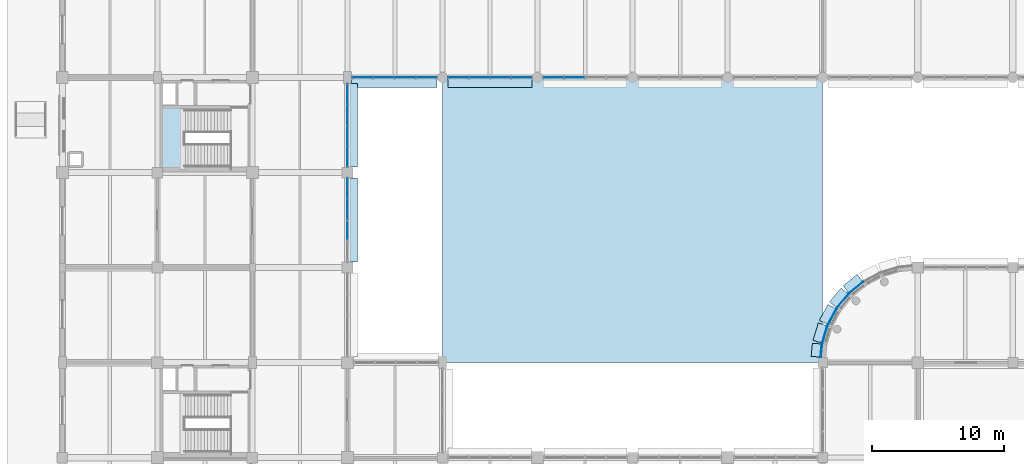
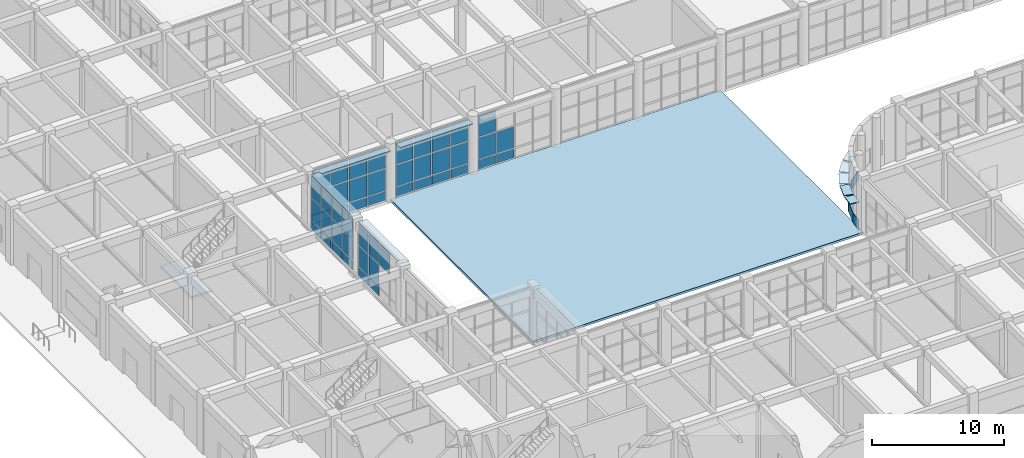
# One storey, part 114 of 160: 62 plates, 2 slabs, 6 elements without a shape of their own.
"""IFC4 building model written with IfcOpenShell, lengths in metres."""

from ifc_helpers import new_model, si_unit, direction, frame, origin, origin_2d, place, context, subcontext, project, spatial, polyline, rectangle, outline, extrude, material, layer, layer_set, type_object, element, aggregate, save


model = new_model("IFC4")

# Units and contexts
model_context = context("Model", 3, precision=1e-05, world=origin(), true_north=direction((0.0, 1.0)))
body_context = subcontext(model_context, "Body", "Model", "MODEL_VIEW")
ifc_project = project(units=[si_unit("LENGTHUNIT", "METRE"), si_unit("AREAUNIT", "SQUARE_METRE"), si_unit("VOLUMEUNIT", "CUBIC_METRE"), si_unit("PLANEANGLEUNIT", "RADIAN"), si_unit("MASSUNIT", "GRAM", prefix="KILO")], contexts=[model_context])

# Site, building, storey
site_placement = place(None, origin())
site = spatial("IfcSite", under=ifc_project, at=site_placement, CompositionType="ELEMENT")
building_placement = place(site_placement, origin())
building = spatial("IfcBuilding", under=site, at=building_placement, Name="Thalmaran Polytechnic", CompositionType="ELEMENT")
storey_placement = place(building_placement, origin())
storey = spatial("IfcBuildingStorey", under=building, at=storey_placement, Name="L00", CompositionType="ELEMENT", Elevation=0.0)

# Plates
ifc_material_1 = material(Name="Anodised aluminium spandrel band", Category="aluminium")
ifc_layer_1 = layer(ifc_material_1, 0.054931640625, Name="Anodised aluminium spandrel band")
ifc_layer_set_1 = layer_set([ifc_layer_1], Name="Anodised aluminium spandrel band")
plate_type_1 = type_object("IfcPlateType", Name="PT-BD01", PredefinedType="SHEET", material=ifc_layer_set_1)
plate_1_placement = place(storey_placement, frame((57.493408203125, 29.7080078125, 0.02001953125), z_axis=(0.0, 0.0, 1.0), x_axis=(0.09801714033, 0.995184726672, 0.0)))
element("IfcPlate", 1, at=plate_1_placement, inside=storey, type_object=plate_type_1, Name="Streamline Horizontal Spandrel Band L00-156", PredefinedType="SHEET", context=body_context, shape_type="SweptSolid", body=[
    extrude(rectangle(XDim=0.996337890625, YDim=0.054931640625, at=origin_2d()), origin(), (0.0, 0.0, 1.0), 0.8798828125),
])
for number, where, z_axis, x_axis, name in (
    (2, (57.756591796875, 30.9365234375, 0.02001953125), (0.0, 0.0, 1.0), (0.290284677254, 0.956940335732, 0.0), "Streamline Horizontal Spandrel Band L00-157"),
    (3, (58.308837890625, 32.26953125, 0.02001953125), (0.0, 0.0, 1.0), (0.471396736826, 0.881921264348, 0.0), "Streamline Horizontal Spandrel Band L00-158"),
    (4, (59.1103515625, 33.46923828125, 0.02001953125), (0.0, 0.0, 1.0), (0.634393284164, 0.773010453363, 0.0), "Streamline Horizontal Spandrel Band L00-159"),
    (5, (60.130615234375, 34.489501953125, 0.02001953125), (0.0, 0.0, 1.0), (0.773010453363, 0.634393284164, 0.0), "Streamline Horizontal Spandrel Band L00-160"),
):
    element("IfcPlate", number, at=place(storey_placement, frame(where, z_axis=z_axis, x_axis=x_axis)), inside=storey, type_object=plate_type_1, Name=name, PredefinedType="SHEET", context=body_context, shape_type="SweptSolid", body=[
        extrude(rectangle(XDim=1.371337890625, YDim=0.054931640625, at=origin_2d()), origin(), (0.0, 0.0, 1.0), 0.8798828125),
    ])
ifc_material_2 = material(Name="Anodised aluminium sun-hood eyebrow", Category="aluminium")
ifc_layer_2 = layer(ifc_material_2, 0.0849609375, Name="Anodised aluminium sun-hood eyebrow")
ifc_layer_set_2 = layer_set([ifc_layer_2], Name="Anodised aluminium sun-hood eyebrow")
plate_type_2 = type_object("IfcPlateType", Name="PT-EB01", PredefinedType="SHEET", material=ifc_layer_set_2)
plate_2_placement = place(storey_placement, frame((32.39990234375, 50.0400390625, 4.987548828125), z_axis=(0.0, 0.0, 1.0), x_axis=(-1.0, 0.0, 0.0)))
element("IfcPlate", 6, at=plate_2_placement, inside=storey, type_object=plate_type_2, Name="Streamline Sun-Hood Eyebrow L00-CW043", PredefinedType="SHEET", context=body_context, shape_type="SweptSolid", body=[
    extrude(rectangle(XDim=6.360107421875, YDim=0.760009765625, at=origin_2d()), origin(), (0.0, 0.0, 1.0), 0.0849609375),
])
plate_3_placement = place(storey_placement, frame((25.14990234375, 50.0400390625, 4.987548828125), z_axis=(0.0, 0.0, 1.0), x_axis=(-1.0, 0.0, 0.0)))
element("IfcPlate", 7, at=plate_3_placement, inside=storey, type_object=plate_type_2, Name="Streamline Sun-Hood Eyebrow L00-CW044", PredefinedType="SHEET", context=body_context, shape_type="SweptSolid", body=[
    extrude(rectangle(XDim=6.4599609375, YDim=0.760009765625, at=origin_2d()), origin(), (0.0, 0.0, 1.0), 0.0849609375),
])
plate_4_placement = place(storey_placement, frame((21.9599609375, 46.77490234375, 4.987548828125), z_axis=(0.0, 0.0, 1.0), x_axis=(0.0, -1.0, 0.0)))
element("IfcPlate", 8, at=plate_4_placement, inside=storey, type_object=plate_type_2, Name="Streamline Sun-Hood Eyebrow L00-CW045", PredefinedType="SHEET", context=body_context, shape_type="SweptSolid", body=[
    extrude(rectangle(XDim=6.31005859375, YDim=0.760009765625, at=origin_2d()), origin(), (0.0, 0.0, 1.0), 0.0849609375),
])
plate_5_placement = place(storey_placement, frame((21.9599609375, 39.60498046875, 4.987548828125), z_axis=(0.0, 0.0, 1.0), x_axis=(0.0, -1.0, 0.0)))
element("IfcPlate", 9, at=plate_5_placement, inside=storey, type_object=plate_type_2, Name="Streamline Sun-Hood Eyebrow L00-CW046", PredefinedType="SHEET", context=body_context, shape_type="SweptSolid", body=[
    extrude(rectangle(XDim=6.35009765625, YDim=0.760009765625, at=origin_2d()), origin(), (0.0, 0.0, 1.0), 0.0849609375),
])
plate_6_placement = place(storey_placement, frame((57.150146484375, 29.741943359375, 2.517578125), z_axis=(0.0, 0.0, 1.0), x_axis=(0.09801714033, 0.995184726672, 0.0)))
element("IfcPlate", 10, at=plate_6_placement, inside=storey, type_object=plate_type_2, Name="Streamline Sun-Hood Eyebrow L00-156", PredefinedType="SHEET", context=body_context, shape_type="SweptSolid", body=[
    extrude(rectangle(XDim=0.996337890625, YDim=0.760009765625, at=origin_2d()), origin(), (0.0, 0.0, 1.0), 0.0849609375),
])
for number, where, z_axis, x_axis, name in (
    (11, (57.426513671875, 31.03662109375, 2.517578125), (0.0, 0.0, 1.0), (0.290284677254, 0.956940335732, 0.0), "Streamline Sun-Hood Eyebrow L00-157"),
    (12, (58.00439453125, 32.432373046875, 2.517578125), (0.0, 0.0, 1.0), (0.471396736826, 0.881921264348, 0.0), "Streamline Sun-Hood Eyebrow L00-158"),
    (13, (58.84375, 33.688232421875, 2.517578125), (0.0, 0.0, 1.0), (0.634393284164, 0.773010453363, 0.0), "Streamline Sun-Hood Eyebrow L00-159"),
    (14, (59.911865234375, 34.75634765625, 2.517578125), (0.0, 0.0, 1.0), (0.773010453363, 0.634393284164, 0.0), "Streamline Sun-Hood Eyebrow L00-160"),
):
    element("IfcPlate", number, at=place(storey_placement, frame(where, z_axis=z_axis, x_axis=x_axis)), inside=storey, type_object=plate_type_2, Name=name, PredefinedType="SHEET", context=body_context, shape_type="SweptSolid", body=[
        extrude(rectangle(XDim=1.371337890625, YDim=0.760009765625, at=origin_2d()), origin(), (0.0, 0.0, 1.0), 0.0849609375),
    ])

# Curtain wall, plates
ifc_material_3 = material(Name="Aluminium 6063-T6", Category="aluminium")
curtain_wall_type_1 = type_object("IfcCurtainWallType", Name="CW-UC01", PredefinedType="USERDEFINED", material=ifc_material_3)
curtain_wall_1_placement = place(storey_placement, origin())
curtain_wall_1 = element("IfcCurtainWall", 15, at=curtain_wall_1_placement, inside=storey, type_object=curtain_wall_type_1, Name="Curtain Wall CW-L00-045", ObjectType="UNITISED CURTAIN WALL", PredefinedType="USERDEFINED")
ifc_material_4 = material(Name="Solar-control double low-E glass", Category="glass")
ifc_layer_3 = layer(ifc_material_4, 0.035888671875, Name="Solar-control double low-E glass")
ifc_layer_set_3 = layer_set([ifc_layer_3], Name="Solar-control double low-E glass")
plate_type_3 = type_object("IfcPlateType", Name="PT-GL01", PredefinedType="CURTAIN_PANEL", material=ifc_layer_set_3)
plate_7_placement = place(storey_placement, frame((21.60009765625, 49.15625, 1.0), z_axis=(0.0, 0.0, 1.0), x_axis=(0.0, -1.0, 0.0)))
plate_7 = element("IfcPlate", 16, at=plate_7_placement, type_object=plate_type_3, Name="CW-L00-045 Vision Panel 1-2", PredefinedType="CURTAIN_PANEL", context=body_context, shape_type="SweptSolid", body=[
    extrude(rectangle(XDim=1.487548828125, YDim=0.035888671875, at=origin_2d()), origin(), (0.0, 0.0, 1.0), 1.985107421875),
])
plate_8_placement = place(storey_placement, frame((21.60009765625, 49.15625, 3.06494140625), z_axis=(0.0, 0.0, 1.0), x_axis=(0.0, -1.0, 0.0)))
plate_8 = element("IfcPlate", 17, at=plate_8_placement, type_object=plate_type_3, Name="CW-L00-045 Vision Panel 1-3", PredefinedType="CURTAIN_PANEL", context=body_context, shape_type="SweptSolid", body=[
    extrude(rectangle(XDim=1.487548828125, YDim=0.035888671875, at=origin_2d()), origin(), (0.0, 0.0, 1.0), 1.925048828125),
])
plate_9_placement = place(storey_placement, frame((21.60009765625, 47.56884765625, 1.0), z_axis=(0.0, 0.0, 1.0), x_axis=(0.0, -1.0, 0.0)))
plate_9 = element("IfcPlate", 18, at=plate_9_placement, type_object=plate_type_3, Name="CW-L00-045 Vision Panel 2-2", PredefinedType="CURTAIN_PANEL", context=body_context, shape_type="SweptSolid", body=[
    extrude(rectangle(XDim=1.487548828125, YDim=0.035888671875, at=origin_2d()), origin(), (0.0, 0.0, 1.0), 1.985107421875),
])
plate_10_placement = place(storey_placement, frame((21.60009765625, 47.56884765625, 3.06494140625), z_axis=(0.0, 0.0, 1.0), x_axis=(0.0, -1.0, 0.0)))
plate_10 = element("IfcPlate", 19, at=plate_10_placement, type_object=plate_type_3, Name="CW-L00-045 Vision Panel 2-3", PredefinedType="CURTAIN_PANEL", context=body_context, shape_type="SweptSolid", body=[
    extrude(rectangle(XDim=1.487548828125, YDim=0.035888671875, at=origin_2d()), origin(), (0.0, 0.0, 1.0), 1.925048828125),
])
plate_11_placement = place(storey_placement, frame((21.60009765625, 45.981201171875, 1.0), z_axis=(0.0, 0.0, 1.0), x_axis=(0.0, -1.0, 0.0)))
plate_11 = element("IfcPlate", 20, at=plate_11_placement, type_object=plate_type_3, Name="CW-L00-045 Vision Panel 3-2", PredefinedType="CURTAIN_PANEL", context=body_context, shape_type="SweptSolid", body=[
    extrude(rectangle(XDim=1.487548828125, YDim=0.035888671875, at=origin_2d()), origin(), (0.0, 0.0, 1.0), 1.985107421875),
])
plate_12_placement = place(storey_placement, frame((21.60009765625, 45.981201171875, 3.06494140625), z_axis=(0.0, 0.0, 1.0), x_axis=(0.0, -1.0, 0.0)))
plate_12 = element("IfcPlate", 21, at=plate_12_placement, type_object=plate_type_3, Name="CW-L00-045 Vision Panel 3-3", PredefinedType="CURTAIN_PANEL", context=body_context, shape_type="SweptSolid", body=[
    extrude(rectangle(XDim=1.487548828125, YDim=0.035888671875, at=origin_2d()), origin(), (0.0, 0.0, 1.0), 1.925048828125),
])
plate_13_placement = place(storey_placement, frame((21.60009765625, 44.393798828125, 1.0), z_axis=(0.0, 0.0, 1.0), x_axis=(0.0, -1.0, 0.0)))
plate_13 = element("IfcPlate", 22, at=plate_13_placement, type_object=plate_type_3, Name="CW-L00-045 Vision Panel 4-2", PredefinedType="CURTAIN_PANEL", context=body_context, shape_type="SweptSolid", body=[
    extrude(rectangle(XDim=1.487548828125, YDim=0.035888671875, at=origin_2d()), origin(), (0.0, 0.0, 1.0), 1.985107421875),
])
plate_14_placement = place(storey_placement, frame((21.60009765625, 44.393798828125, 3.06494140625), z_axis=(0.0, 0.0, 1.0), x_axis=(0.0, -1.0, 0.0)))
plate_14 = element("IfcPlate", 23, at=plate_14_placement, type_object=plate_type_3, Name="CW-L00-045 Vision Panel 4-3", PredefinedType="CURTAIN_PANEL", context=body_context, shape_type="SweptSolid", body=[
    extrude(rectangle(XDim=1.487548828125, YDim=0.035888671875, at=origin_2d()), origin(), (0.0, 0.0, 1.0), 1.925048828125),
])

curtain_wall_2_placement = place(storey_placement, origin())
curtain_wall_2 = element("IfcCurtainWall", 24, at=curtain_wall_2_placement, inside=storey, type_object=curtain_wall_type_1, Name="Curtain Wall CW-L00-046", ObjectType="UNITISED CURTAIN WALL", PredefinedType="USERDEFINED")
ifc_layer_4 = layer(ifc_material_4, 0.035888671875, Name="Solar-control double low-E glass")
ifc_layer_set_4 = layer_set([ifc_layer_4], Name="Solar-control double low-E glass")
plate_type_4 = type_object("IfcPlateType", Name="PT-GL02", PredefinedType="CURTAIN_PANEL", material=ifc_layer_set_4)
plate_15_placement = place(storey_placement, frame((21.60009765625, 42.001220703125, 1.0), z_axis=(0.0, 0.0, 1.0), x_axis=(0.0, -1.0, 0.0)))
plate_15 = element("IfcPlate", 25, at=plate_15_placement, type_object=plate_type_4, Name="CW-L00-046 Vision Panel 1-2", PredefinedType="CURTAIN_PANEL", context=body_context, shape_type="SweptSolid", body=[
    extrude(rectangle(XDim=1.49755859375, YDim=0.035888671875, at=origin_2d()), origin(), (0.0, 0.0, 1.0), 1.985107421875),
])
plate_16_placement = place(storey_placement, frame((21.60009765625, 42.001220703125, 3.06494140625), z_axis=(0.0, 0.0, 1.0), x_axis=(0.0, -1.0, 0.0)))
plate_16 = element("IfcPlate", 26, at=plate_16_placement, type_object=plate_type_4, Name="CW-L00-046 Vision Panel 1-3", PredefinedType="CURTAIN_PANEL", context=body_context, shape_type="SweptSolid", body=[
    extrude(rectangle(XDim=1.49755859375, YDim=0.035888671875, at=origin_2d()), origin(), (0.0, 0.0, 1.0), 1.925048828125),
])
plate_17_placement = place(storey_placement, frame((21.60009765625, 40.40380859375, 1.0), z_axis=(0.0, 0.0, 1.0), x_axis=(0.0, -1.0, 0.0)))
plate_17 = element("IfcPlate", 27, at=plate_17_placement, type_object=plate_type_4, Name="CW-L00-046 Vision Panel 2-2", PredefinedType="CURTAIN_PANEL", context=body_context, shape_type="SweptSolid", body=[
    extrude(rectangle(XDim=1.49755859375, YDim=0.035888671875, at=origin_2d()), origin(), (0.0, 0.0, 1.0), 1.985107421875),
])
plate_18_placement = place(storey_placement, frame((21.60009765625, 40.40380859375, 3.06494140625), z_axis=(0.0, 0.0, 1.0), x_axis=(0.0, -1.0, 0.0)))
plate_18 = element("IfcPlate", 28, at=plate_18_placement, type_object=plate_type_4, Name="CW-L00-046 Vision Panel 2-3", PredefinedType="CURTAIN_PANEL", context=body_context, shape_type="SweptSolid", body=[
    extrude(rectangle(XDim=1.49755859375, YDim=0.035888671875, at=origin_2d()), origin(), (0.0, 0.0, 1.0), 1.925048828125),
])
plate_19_placement = place(storey_placement, frame((21.60009765625, 38.80615234375, 3.06494140625), z_axis=(0.0, 0.0, 1.0), x_axis=(0.0, -1.0, 0.0)))
plate_19 = element("IfcPlate", 29, at=plate_19_placement, type_object=plate_type_4, Name="CW-L00-046 Vision Panel 3-3", PredefinedType="CURTAIN_PANEL", context=body_context, shape_type="SweptSolid", body=[
    extrude(rectangle(XDim=1.49755859375, YDim=0.035888671875, at=origin_2d()), origin(), (0.0, 0.0, 1.0), 1.925048828125),
])

curtain_wall_type_2 = type_object("IfcCurtainWallType", Name="CW-SC01", PredefinedType="USERDEFINED", material=ifc_material_3)
curtain_wall_3_placement = place(storey_placement, origin())
curtain_wall_3 = element("IfcCurtainWall", 30, at=curtain_wall_3_placement, inside=storey, type_object=curtain_wall_type_2, Name="Curtain Wall CW-L00-042", ObjectType="STICK CURTAIN WALL", PredefinedType="USERDEFINED")
ifc_layer_5 = layer(ifc_material_4, 0.035888671875, Name="Solar-control double low-E glass")
ifc_layer_set_5 = layer_set([ifc_layer_5], Name="Solar-control double low-E glass")
plate_type_5 = type_object("IfcPlateType", Name="PT-GL03", PredefinedType="CURTAIN_PANEL", material=ifc_layer_set_5)
plate_20_placement = place(storey_placement, frame((38.800048828125, 50.39990234375, 1.0), z_axis=(0.0, 0.0, 1.0), x_axis=(-1.0, 0.0, 0.0)))
plate_20 = element("IfcPlate", 31, at=plate_20_placement, type_object=plate_type_5, Name="CW-L00-042 Vision Panel 3-2", PredefinedType="CURTAIN_PANEL", context=body_context, shape_type="SweptSolid", body=[
    extrude(rectangle(XDim=1.5, YDim=0.035888671875, at=origin_2d()), origin(), (0.0, 0.0, 1.0), 1.985107421875),
])
plate_21_placement = place(storey_placement, frame((37.199951171875, 50.39990234375, 1.0), z_axis=(0.0, 0.0, 1.0), x_axis=(-1.0, 0.0, 0.0)))
plate_21 = element("IfcPlate", 32, at=plate_21_placement, type_object=plate_type_5, Name="CW-L00-042 Vision Panel 4-2", PredefinedType="CURTAIN_PANEL", context=body_context, shape_type="SweptSolid", body=[
    extrude(rectangle(XDim=1.5, YDim=0.035888671875, at=origin_2d()), origin(), (0.0, 0.0, 1.0), 1.985107421875),
])
plate_22_placement = place(storey_placement, frame((37.199951171875, 50.39990234375, 3.06494140625), z_axis=(0.0, 0.0, 1.0), x_axis=(-1.0, 0.0, 0.0)))
plate_22 = element("IfcPlate", 33, at=plate_22_placement, type_object=plate_type_5, Name="CW-L00-042 Vision Panel 4-3", PredefinedType="CURTAIN_PANEL", context=body_context, shape_type="SweptSolid", body=[
    extrude(rectangle(XDim=1.5, YDim=0.035888671875, at=origin_2d()), origin(), (0.0, 0.0, 1.0), 1.925048828125),
])

curtain_wall_4_placement = place(storey_placement, origin())
curtain_wall_4 = element("IfcCurtainWall", 34, at=curtain_wall_4_placement, inside=storey, type_object=curtain_wall_type_2, Name="Curtain Wall CW-L00-043", ObjectType="STICK CURTAIN WALL", PredefinedType="USERDEFINED")
ifc_layer_6 = layer(ifc_material_4, 0.035888671875, Name="Solar-control double low-E glass")
ifc_layer_set_6 = layer_set([ifc_layer_6], Name="Solar-control double low-E glass")
plate_type_6 = type_object("IfcPlateType", Name="PT-GL04", PredefinedType="CURTAIN_PANEL", material=ifc_layer_set_6)
plate_23_placement = place(storey_placement, frame((34.800048828125, 50.39990234375, 1.0), z_axis=(0.0, 0.0, 1.0), x_axis=(-1.0, 0.0, 0.0)))
plate_23 = element("IfcPlate", 35, at=plate_23_placement, type_object=plate_type_6, Name="CW-L00-043 Vision Panel 1-2", PredefinedType="CURTAIN_PANEL", context=body_context, shape_type="SweptSolid", body=[
    extrude(rectangle(XDim=1.5, YDim=0.035888671875, at=origin_2d()), origin(), (0.0, 0.0, 1.0), 1.985107421875),
])
plate_24_placement = place(storey_placement, frame((34.800048828125, 50.39990234375, 3.06494140625), z_axis=(0.0, 0.0, 1.0), x_axis=(-1.0, 0.0, 0.0)))
plate_24 = element("IfcPlate", 36, at=plate_24_placement, type_object=plate_type_6, Name="CW-L00-043 Vision Panel 1-3", PredefinedType="CURTAIN_PANEL", context=body_context, shape_type="SweptSolid", body=[
    extrude(rectangle(XDim=1.5, YDim=0.035888671875, at=origin_2d()), origin(), (0.0, 0.0, 1.0), 1.925048828125),
])
plate_25_placement = place(storey_placement, frame((33.199951171875, 50.39990234375, 1.0), z_axis=(0.0, 0.0, 1.0), x_axis=(-1.0, 0.0, 0.0)))
plate_25 = element("IfcPlate", 37, at=plate_25_placement, type_object=plate_type_6, Name="CW-L00-043 Vision Panel 2-2", PredefinedType="CURTAIN_PANEL", context=body_context, shape_type="SweptSolid", body=[
    extrude(rectangle(XDim=1.5, YDim=0.035888671875, at=origin_2d()), origin(), (0.0, 0.0, 1.0), 1.985107421875),
])
plate_26_placement = place(storey_placement, frame((33.199951171875, 50.39990234375, 3.06494140625), z_axis=(0.0, 0.0, 1.0), x_axis=(-1.0, 0.0, 0.0)))
plate_26 = element("IfcPlate", 38, at=plate_26_placement, type_object=plate_type_6, Name="CW-L00-043 Vision Panel 2-3", PredefinedType="CURTAIN_PANEL", context=body_context, shape_type="SweptSolid", body=[
    extrude(rectangle(XDim=1.5, YDim=0.035888671875, at=origin_2d()), origin(), (0.0, 0.0, 1.0), 1.925048828125),
])
plate_27_placement = place(storey_placement, frame((31.60009765625, 50.39990234375, 1.0), z_axis=(0.0, 0.0, 1.0), x_axis=(-1.0, 0.0, 0.0)))
plate_27 = element("IfcPlate", 39, at=plate_27_placement, type_object=plate_type_6, Name="CW-L00-043 Vision Panel 3-2", PredefinedType="CURTAIN_PANEL", context=body_context, shape_type="SweptSolid", body=[
    extrude(rectangle(XDim=1.5, YDim=0.035888671875, at=origin_2d()), origin(), (0.0, 0.0, 1.0), 1.985107421875),
])
plate_28_placement = place(storey_placement, frame((31.60009765625, 50.39990234375, 3.06494140625), z_axis=(0.0, 0.0, 1.0), x_axis=(-1.0, 0.0, 0.0)))
plate_28 = element("IfcPlate", 40, at=plate_28_placement, type_object=plate_type_6, Name="CW-L00-043 Vision Panel 3-3", PredefinedType="CURTAIN_PANEL", context=body_context, shape_type="SweptSolid", body=[
    extrude(rectangle(XDim=1.5, YDim=0.035888671875, at=origin_2d()), origin(), (0.0, 0.0, 1.0), 1.925048828125),
])
plate_29_placement = place(storey_placement, frame((30.0, 50.39990234375, 1.0), z_axis=(0.0, 0.0, 1.0), x_axis=(-1.0, 0.0, 0.0)))
plate_29 = element("IfcPlate", 41, at=plate_29_placement, type_object=plate_type_6, Name="CW-L00-043 Vision Panel 4-2", PredefinedType="CURTAIN_PANEL", context=body_context, shape_type="SweptSolid", body=[
    extrude(rectangle(XDim=1.5, YDim=0.035888671875, at=origin_2d()), origin(), (0.0, 0.0, 1.0), 1.985107421875),
])
plate_30_placement = place(storey_placement, frame((30.0, 50.39990234375, 3.06494140625), z_axis=(0.0, 0.0, 1.0), x_axis=(-1.0, 0.0, 0.0)))
plate_30 = element("IfcPlate", 42, at=plate_30_placement, type_object=plate_type_6, Name="CW-L00-043 Vision Panel 4-3", PredefinedType="CURTAIN_PANEL", context=body_context, shape_type="SweptSolid", body=[
    extrude(rectangle(XDim=1.5, YDim=0.035888671875, at=origin_2d()), origin(), (0.0, 0.0, 1.0), 1.925048828125),
])

curtain_wall_5_placement = place(storey_placement, origin())
curtain_wall_5 = element("IfcCurtainWall", 43, at=curtain_wall_5_placement, inside=storey, type_object=curtain_wall_type_1, Name="Curtain Wall CW-L00-044", ObjectType="UNITISED CURTAIN WALL", PredefinedType="USERDEFINED")
ifc_layer_7 = layer(ifc_material_4, 0.035888671875, Name="Solar-control double low-E glass")
ifc_layer_set_7 = layer_set([ifc_layer_7], Name="Solar-control double low-E glass")
plate_type_7 = type_object("IfcPlateType", Name="PT-GL05", PredefinedType="CURTAIN_PANEL", material=ifc_layer_set_7)
plate_31_placement = place(storey_placement, frame((27.58740234375, 50.39990234375, 1.0), z_axis=(0.0, 0.0, 1.0), x_axis=(-1.0, 0.0, 0.0)))
plate_31 = element("IfcPlate", 44, at=plate_31_placement, type_object=plate_type_7, Name="CW-L00-044 Vision Panel 1-2", PredefinedType="CURTAIN_PANEL", context=body_context, shape_type="SweptSolid", body=[
    extrude(rectangle(XDim=1.52490234375, YDim=0.035888671875, at=origin_2d()), origin(), (0.0, 0.0, 1.0), 1.985107421875),
])
plate_32_placement = place(storey_placement, frame((27.58740234375, 50.39990234375, 3.06494140625), z_axis=(0.0, 0.0, 1.0), x_axis=(-1.0, 0.0, 0.0)))
plate_32 = element("IfcPlate", 45, at=plate_32_placement, type_object=plate_type_7, Name="CW-L00-044 Vision Panel 1-3", PredefinedType="CURTAIN_PANEL", context=body_context, shape_type="SweptSolid", body=[
    extrude(rectangle(XDim=1.52490234375, YDim=0.035888671875, at=origin_2d()), origin(), (0.0, 0.0, 1.0), 1.925048828125),
])
plate_33_placement = place(storey_placement, frame((25.96240234375, 50.39990234375, 1.0), z_axis=(0.0, 0.0, 1.0), x_axis=(-1.0, 0.0, 0.0)))
plate_33 = element("IfcPlate", 46, at=plate_33_placement, type_object=plate_type_7, Name="CW-L00-044 Vision Panel 2-2", PredefinedType="CURTAIN_PANEL", context=body_context, shape_type="SweptSolid", body=[
    extrude(rectangle(XDim=1.52490234375, YDim=0.035888671875, at=origin_2d()), origin(), (0.0, 0.0, 1.0), 1.985107421875),
])
plate_34_placement = place(storey_placement, frame((25.96240234375, 50.39990234375, 3.06494140625), z_axis=(0.0, 0.0, 1.0), x_axis=(-1.0, 0.0, 0.0)))
plate_34 = element("IfcPlate", 47, at=plate_34_placement, type_object=plate_type_7, Name="CW-L00-044 Vision Panel 2-3", PredefinedType="CURTAIN_PANEL", context=body_context, shape_type="SweptSolid", body=[
    extrude(rectangle(XDim=1.52490234375, YDim=0.035888671875, at=origin_2d()), origin(), (0.0, 0.0, 1.0), 1.925048828125),
])
plate_35_placement = place(storey_placement, frame((24.33740234375, 50.39990234375, 1.0), z_axis=(0.0, 0.0, 1.0), x_axis=(-1.0, 0.0, 0.0)))
plate_35 = element("IfcPlate", 48, at=plate_35_placement, type_object=plate_type_7, Name="CW-L00-044 Vision Panel 3-2", PredefinedType="CURTAIN_PANEL", context=body_context, shape_type="SweptSolid", body=[
    extrude(rectangle(XDim=1.52490234375, YDim=0.035888671875, at=origin_2d()), origin(), (0.0, 0.0, 1.0), 1.985107421875),
])
plate_36_placement = place(storey_placement, frame((24.33740234375, 50.39990234375, 3.06494140625), z_axis=(0.0, 0.0, 1.0), x_axis=(-1.0, 0.0, 0.0)))
plate_36 = element("IfcPlate", 49, at=plate_36_placement, type_object=plate_type_7, Name="CW-L00-044 Vision Panel 3-3", PredefinedType="CURTAIN_PANEL", context=body_context, shape_type="SweptSolid", body=[
    extrude(rectangle(XDim=1.52490234375, YDim=0.035888671875, at=origin_2d()), origin(), (0.0, 0.0, 1.0), 1.925048828125),
])
plate_37_placement = place(storey_placement, frame((22.71240234375, 50.39990234375, 1.0), z_axis=(0.0, 0.0, 1.0), x_axis=(-1.0, 0.0, 0.0)))
plate_37 = element("IfcPlate", 50, at=plate_37_placement, type_object=plate_type_7, Name="CW-L00-044 Vision Panel 4-2", PredefinedType="CURTAIN_PANEL", context=body_context, shape_type="SweptSolid", body=[
    extrude(rectangle(XDim=1.52490234375, YDim=0.035888671875, at=origin_2d()), origin(), (0.0, 0.0, 1.0), 1.985107421875),
])
plate_38_placement = place(storey_placement, frame((22.71240234375, 50.39990234375, 3.06494140625), z_axis=(0.0, 0.0, 1.0), x_axis=(-1.0, 0.0, 0.0)))
plate_38 = element("IfcPlate", 51, at=plate_38_placement, type_object=plate_type_7, Name="CW-L00-044 Vision Panel 4-3", PredefinedType="CURTAIN_PANEL", context=body_context, shape_type="SweptSolid", body=[
    extrude(rectangle(XDim=1.52490234375, YDim=0.035888671875, at=origin_2d()), origin(), (0.0, 0.0, 1.0), 1.925048828125),
])

# Plate
ifc_material_5 = material(Name="Insulated anodised aluminium spandrel", Category="aluminium")
ifc_layer_8 = layer(ifc_material_5, 0.06005859375, Name="Insulated anodised aluminium spandrel")
ifc_layer_set_8 = layer_set([ifc_layer_8], Name="Insulated anodised aluminium spandrel")
plate_type_8 = type_object("IfcPlateType", Name="PT-SP01", PredefinedType="CURTAIN_PANEL", material=ifc_layer_set_8)
plate_39_placement = place(storey_placement, frame((38.800048828125, 50.39990234375, 0.10009765625), z_axis=(0.0, 0.0, 1.0), x_axis=(-1.0, 0.0, 0.0)))
plate_39 = element("IfcPlate", 52, at=plate_39_placement, type_object=plate_type_8, Name="CW-L00-042 Spandrel Panel 3-1", PredefinedType="CURTAIN_PANEL", context=body_context, shape_type="SweptSolid", body=[
    extrude(rectangle(XDim=1.5, YDim=0.06005859375, at=origin_2d()), origin(), (0.0, 0.0, 1.0), 0.820068359375),
])

plate_40_placement = place(storey_placement, frame((37.199951171875, 50.39990234375, 0.10009765625), z_axis=(0.0, 0.0, 1.0), x_axis=(-1.0, 0.0, 0.0)))
plate_40 = element("IfcPlate", 53, at=plate_40_placement, type_object=plate_type_8, Name="CW-L00-042 Spandrel Panel 4-1", PredefinedType="CURTAIN_PANEL", context=body_context, shape_type="SweptSolid", body=[
    extrude(rectangle(XDim=1.5, YDim=0.06005859375, at=origin_2d()), origin(), (0.0, 0.0, 1.0), 0.820068359375),
])

aggregate(curtain_wall_3, [plate_39, plate_20, plate_40, plate_21, plate_22])

plate_41_placement = place(storey_placement, frame((21.60009765625, 49.15625, 0.10009765625), z_axis=(0.0, 0.0, 1.0), x_axis=(0.0, -1.0, 0.0)))
plate_41 = element("IfcPlate", 54, at=plate_41_placement, type_object=plate_type_8, Name="CW-L00-045 Spandrel Panel 1-1", PredefinedType="CURTAIN_PANEL", context=body_context, shape_type="SweptSolid", body=[
    extrude(rectangle(XDim=1.487548828125, YDim=0.06005859375, at=origin_2d()), origin(), (0.0, 0.0, 1.0), 0.820068359375),
])

plate_42_placement = place(storey_placement, frame((21.60009765625, 47.56884765625, 0.10009765625), z_axis=(0.0, 0.0, 1.0), x_axis=(0.0, -1.0, 0.0)))
plate_42 = element("IfcPlate", 55, at=plate_42_placement, type_object=plate_type_8, Name="CW-L00-045 Spandrel Panel 2-1", PredefinedType="CURTAIN_PANEL", context=body_context, shape_type="SweptSolid", body=[
    extrude(rectangle(XDim=1.487548828125, YDim=0.06005859375, at=origin_2d()), origin(), (0.0, 0.0, 1.0), 0.820068359375),
])

plate_43_placement = place(storey_placement, frame((21.60009765625, 45.981201171875, 0.10009765625), z_axis=(0.0, 0.0, 1.0), x_axis=(0.0, -1.0, 0.0)))
plate_43 = element("IfcPlate", 56, at=plate_43_placement, type_object=plate_type_8, Name="CW-L00-045 Spandrel Panel 3-1", PredefinedType="CURTAIN_PANEL", context=body_context, shape_type="SweptSolid", body=[
    extrude(rectangle(XDim=1.487548828125, YDim=0.06005859375, at=origin_2d()), origin(), (0.0, 0.0, 1.0), 0.820068359375),
])

plate_44_placement = place(storey_placement, frame((21.60009765625, 44.393798828125, 0.10009765625), z_axis=(0.0, 0.0, 1.0), x_axis=(0.0, -1.0, 0.0)))
plate_44 = element("IfcPlate", 57, at=plate_44_placement, type_object=plate_type_8, Name="CW-L00-045 Spandrel Panel 4-1", PredefinedType="CURTAIN_PANEL", context=body_context, shape_type="SweptSolid", body=[
    extrude(rectangle(XDim=1.487548828125, YDim=0.06005859375, at=origin_2d()), origin(), (0.0, 0.0, 1.0), 0.820068359375),
])

aggregate(curtain_wall_1, [plate_41, plate_7, plate_8, plate_42, plate_9, plate_10, plate_43, plate_11, plate_12, plate_44, plate_13, plate_14])

ifc_layer_9 = layer(ifc_material_5, 0.06005859375, Name="Insulated anodised aluminium spandrel")
ifc_layer_set_9 = layer_set([ifc_layer_9], Name="Insulated anodised aluminium spandrel")
plate_type_9 = type_object("IfcPlateType", Name="PT-SP02", PredefinedType="CURTAIN_PANEL", material=ifc_layer_set_9)
plate_45_placement = place(storey_placement, frame((34.800048828125, 50.39990234375, 0.10009765625), z_axis=(0.0, 0.0, 1.0), x_axis=(-1.0, 0.0, 0.0)))
plate_45 = element("IfcPlate", 58, at=plate_45_placement, type_object=plate_type_9, Name="CW-L00-043 Spandrel Panel 1-1", PredefinedType="CURTAIN_PANEL", context=body_context, shape_type="SweptSolid", body=[
    extrude(rectangle(XDim=1.5, YDim=0.06005859375, at=origin_2d()), origin(), (0.0, 0.0, 1.0), 0.820068359375),
])

plate_46_placement = place(storey_placement, frame((33.199951171875, 50.39990234375, 0.10009765625), z_axis=(0.0, 0.0, 1.0), x_axis=(-1.0, 0.0, 0.0)))
plate_46 = element("IfcPlate", 59, at=plate_46_placement, type_object=plate_type_9, Name="CW-L00-043 Spandrel Panel 2-1", PredefinedType="CURTAIN_PANEL", context=body_context, shape_type="SweptSolid", body=[
    extrude(rectangle(XDim=1.5, YDim=0.06005859375, at=origin_2d()), origin(), (0.0, 0.0, 1.0), 0.820068359375),
])

plate_47_placement = place(storey_placement, frame((31.60009765625, 50.39990234375, 0.10009765625), z_axis=(0.0, 0.0, 1.0), x_axis=(-1.0, 0.0, 0.0)))
plate_47 = element("IfcPlate", 60, at=plate_47_placement, type_object=plate_type_9, Name="CW-L00-043 Spandrel Panel 3-1", PredefinedType="CURTAIN_PANEL", context=body_context, shape_type="SweptSolid", body=[
    extrude(rectangle(XDim=1.5, YDim=0.06005859375, at=origin_2d()), origin(), (0.0, 0.0, 1.0), 0.820068359375),
])

plate_48_placement = place(storey_placement, frame((30.0, 50.39990234375, 0.10009765625), z_axis=(0.0, 0.0, 1.0), x_axis=(-1.0, 0.0, 0.0)))
plate_48 = element("IfcPlate", 61, at=plate_48_placement, type_object=plate_type_9, Name="CW-L00-043 Spandrel Panel 4-1", PredefinedType="CURTAIN_PANEL", context=body_context, shape_type="SweptSolid", body=[
    extrude(rectangle(XDim=1.5, YDim=0.06005859375, at=origin_2d()), origin(), (0.0, 0.0, 1.0), 0.820068359375),
])

aggregate(curtain_wall_4, [plate_45, plate_23, plate_24, plate_46, plate_25, plate_26, plate_47, plate_27, plate_28, plate_48, plate_29, plate_30])

plate_49_placement = place(storey_placement, frame((21.60009765625, 42.001220703125, 0.10009765625), z_axis=(0.0, 0.0, 1.0), x_axis=(0.0, -1.0, 0.0)))
plate_49 = element("IfcPlate", 62, at=plate_49_placement, type_object=plate_type_9, Name="CW-L00-046 Spandrel Panel 1-1", PredefinedType="CURTAIN_PANEL", context=body_context, shape_type="SweptSolid", body=[
    extrude(rectangle(XDim=1.49755859375, YDim=0.06005859375, at=origin_2d()), origin(), (0.0, 0.0, 1.0), 0.820068359375),
])

plate_50_placement = place(storey_placement, frame((21.60009765625, 40.40380859375, 0.10009765625), z_axis=(0.0, 0.0, 1.0), x_axis=(0.0, -1.0, 0.0)))
plate_50 = element("IfcPlate", 63, at=plate_50_placement, type_object=plate_type_9, Name="CW-L00-046 Spandrel Panel 2-1", PredefinedType="CURTAIN_PANEL", context=body_context, shape_type="SweptSolid", body=[
    extrude(rectangle(XDim=1.49755859375, YDim=0.06005859375, at=origin_2d()), origin(), (0.0, 0.0, 1.0), 0.820068359375),
])

aggregate(curtain_wall_2, [plate_49, plate_15, plate_16, plate_50, plate_17, plate_18, plate_19])

ifc_layer_10 = layer(ifc_material_5, 0.06005859375, Name="Insulated anodised aluminium spandrel")
ifc_layer_set_10 = layer_set([ifc_layer_10], Name="Insulated anodised aluminium spandrel")
plate_type_10 = type_object("IfcPlateType", Name="PT-SP03", PredefinedType="CURTAIN_PANEL", material=ifc_layer_set_10)
plate_51_placement = place(storey_placement, frame((27.58740234375, 50.39990234375, 0.10009765625), z_axis=(0.0, 0.0, 1.0), x_axis=(-1.0, 0.0, 0.0)))
plate_51 = element("IfcPlate", 64, at=plate_51_placement, type_object=plate_type_10, Name="CW-L00-044 Spandrel Panel 1-1", PredefinedType="CURTAIN_PANEL", context=body_context, shape_type="SweptSolid", body=[
    extrude(rectangle(XDim=1.52490234375, YDim=0.06005859375, at=origin_2d()), origin(), (0.0, 0.0, 1.0), 0.820068359375),
])

plate_52_placement = place(storey_placement, frame((25.96240234375, 50.39990234375, 0.10009765625), z_axis=(0.0, 0.0, 1.0), x_axis=(-1.0, 0.0, 0.0)))
plate_52 = element("IfcPlate", 65, at=plate_52_placement, type_object=plate_type_10, Name="CW-L00-044 Spandrel Panel 2-1", PredefinedType="CURTAIN_PANEL", context=body_context, shape_type="SweptSolid", body=[
    extrude(rectangle(XDim=1.52490234375, YDim=0.06005859375, at=origin_2d()), origin(), (0.0, 0.0, 1.0), 0.820068359375),
])

plate_53_placement = place(storey_placement, frame((24.33740234375, 50.39990234375, 0.10009765625), z_axis=(0.0, 0.0, 1.0), x_axis=(-1.0, 0.0, 0.0)))
plate_53 = element("IfcPlate", 66, at=plate_53_placement, type_object=plate_type_10, Name="CW-L00-044 Spandrel Panel 3-1", PredefinedType="CURTAIN_PANEL", context=body_context, shape_type="SweptSolid", body=[
    extrude(rectangle(XDim=1.52490234375, YDim=0.06005859375, at=origin_2d()), origin(), (0.0, 0.0, 1.0), 0.820068359375),
])

plate_54_placement = place(storey_placement, frame((22.71240234375, 50.39990234375, 0.10009765625), z_axis=(0.0, 0.0, 1.0), x_axis=(-1.0, 0.0, 0.0)))
plate_54 = element("IfcPlate", 67, at=plate_54_placement, type_object=plate_type_10, Name="CW-L00-044 Spandrel Panel 4-1", PredefinedType="CURTAIN_PANEL", context=body_context, shape_type="SweptSolid", body=[
    extrude(rectangle(XDim=1.52490234375, YDim=0.06005859375, at=origin_2d()), origin(), (0.0, 0.0, 1.0), 0.820068359375),
])

aggregate(curtain_wall_5, [plate_51, plate_31, plate_32, plate_52, plate_33, plate_34, plate_53, plate_35, plate_36, plate_54, plate_37, plate_38])

# Stair, slab
ifc_material_6 = material(Name="Concrete C40/50", Category="concrete")
stair_type = type_object("IfcStairType", Name="ST-HT54", PredefinedType="HALF_TURN_STAIR", material=ifc_material_6)
stair_placement = place(storey_placement, origin())
stair = element("IfcStair", 68, at=stair_placement, inside=storey, type_object=stair_type, Name="Exit Stair ST4 L00", PredefinedType="HALF_TURN_STAIR")
ifc_layer_11 = layer(ifc_material_6, 0.2099609375, Name="Concrete C40/50")
ifc_layer_set_11 = layer_set([ifc_layer_11], Name="Concrete C40/50")
slab_type_1 = type_object("IfcSlabType", Name="SL-LD01", PredefinedType="LANDING", material=ifc_layer_set_11)
slab_1_placement = place(storey_placement, frame((0.0, 0.0, 2.489990234375)))
slab_1 = element("IfcSlab", 69, at=slab_1_placement, type_object=slab_type_1, Name="ST4 L00 Half Landing", PredefinedType="LANDING", context=body_context, shape_type="SweptSolid", body=[
    extrude(outline(polyline([(7.43994140625, 43.43994140625), (9.260009765625, 43.43994140625), (9.260009765625, 48.139892578125), (7.43994140625, 48.139892578125), (7.43994140625, 43.43994140625)])), origin(), (0.0, 0.0, 1.0), 0.2099609375),
])
aggregate(stair, [slab_1])

# Slab
ifc_layer_12 = layer(ifc_material_6, 0.199951171875, Name="Concrete C40/50")
ifc_layer_set_12 = layer_set([ifc_layer_12], Name="Concrete C40/50")
slab_type_2 = type_object("IfcSlabType", Name="SL-PV01", PredefinedType="BASESLAB", material=ifc_layer_set_12)
slab_2_placement = place(storey_placement, frame((0.0, 0.0, -0.199951171875)))
element("IfcSlab", 70, at=slab_2_placement, inside=storey, type_object=slab_type_2, Name="External Street Paving COURT-S", PredefinedType="BASESLAB", context=body_context, shape_type="SweptSolid", body=[
    extrude(outline(polyline([(28.800048828125, 28.800048828125), (57.60009765625, 28.800048828125), (57.60009765625, 50.39990234375), (28.800048828125, 50.39990234375), (28.800048828125, 28.800048828125)])), origin(), (0.0, 0.0, 1.0), 0.199951171875),
])

save(model, "model.ifc")
